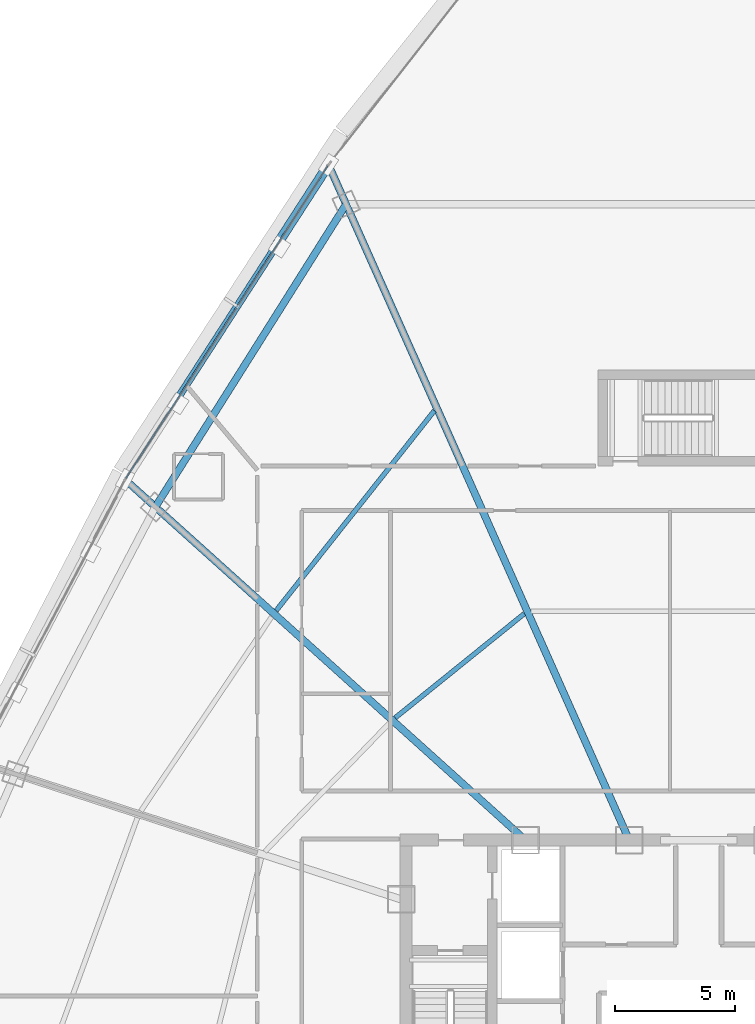
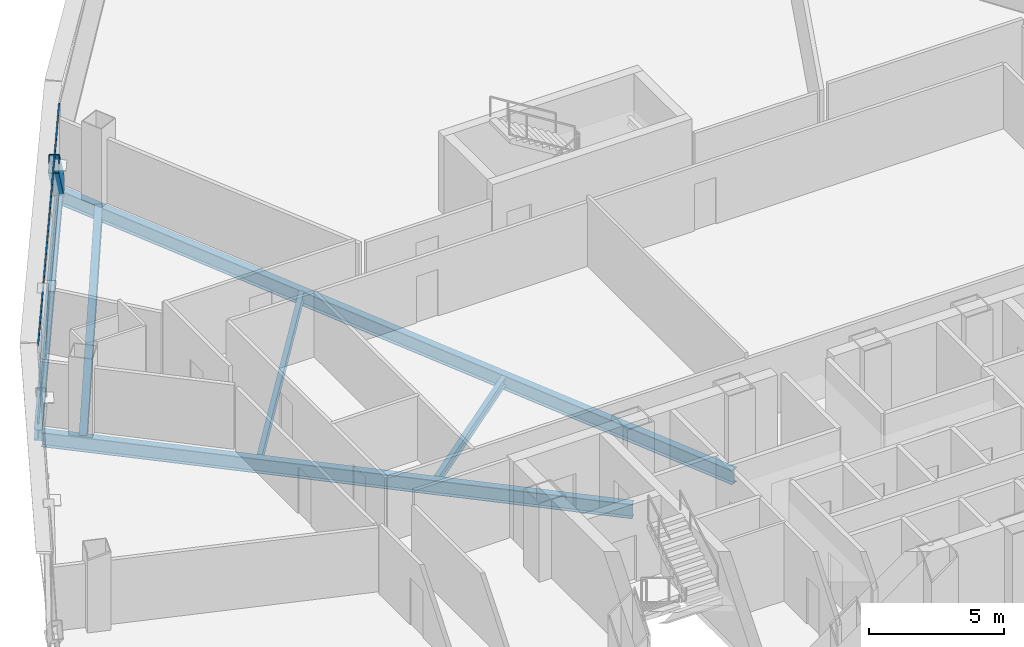
# One storey, part 17 of 37: 6 beams, 3 members, 1 element without a shape of its own.
"""IFC4 building model written with IfcOpenShell, lengths in metres."""

from ifc_helpers import new_model, si_unit, direction, frame, origin, origin_2d, place, context, subcontext, project, spatial, hollow_rectangle, i_section, extrude, source, transform, mapped, material, layer, layer_set, material_profile, profile_set, type_object, element, aggregate, save


model = new_model("IFC4")

# Units and contexts
model_context = context("Model", 3, precision=1e-05, world=origin(), true_north=direction((0.0, 1.0)))
body_context = subcontext(model_context, "Body", "Model", "MODEL_VIEW")
ifc_project = project(units=[si_unit("LENGTHUNIT", "METRE"), si_unit("AREAUNIT", "SQUARE_METRE"), si_unit("VOLUMEUNIT", "CUBIC_METRE"), si_unit("PLANEANGLEUNIT", "RADIAN"), si_unit("MASSUNIT", "GRAM", prefix="KILO"), si_unit("THERMODYNAMICTEMPERATUREUNIT", "KELVIN"), si_unit("POWERUNIT", "WATT")], contexts=[model_context])

# Site, building, storey
site_placement = place(None, origin())
site = spatial("IfcSite", under=ifc_project, at=site_placement, CompositionType="ELEMENT")
building_placement = place(site_placement, origin())
building = spatial("IfcBuilding", under=site, at=building_placement, Name="Yunzhuo Pagoda Commons", CompositionType="ELEMENT")
storey_placement = place(building_placement, frame((0.0, 0.0, 207.56005859375)))
storey = spatial("IfcBuildingStorey", under=building, at=storey_placement, Name="L52", CompositionType="ELEMENT", Elevation=207.56005859375)

# Beams
ifc_material_1 = material(Name="Structural steel Q355B", Category="steel")
ifc_material_profile_1 = material_profile(ifc_material_1, i_section(OverallWidth=0.300048828125, OverallDepth=0.64990234375, WebThickness=0.012939453125, FlangeThickness=0.02197265625, at=origin_2d()), Name="Structural steel Q355B")
ifc_profile_set_1 = profile_set([ifc_material_profile_1], Name="Structural steel Q355B")
beam_type_1 = type_object("IfcBeamType", Name="B-RG2 Beam HN 650x300x13x22", PredefinedType="BEAM", material=ifc_profile_set_1)
shared_shape_1 = source(origin(), body_context, "Body", "SweptSolid", [
    extrude(i_section(OverallWidth=0.300048828125, OverallDepth=0.64990234375, WebThickness=0.012939453125, FlangeThickness=0.02197265625, at=origin_2d()), origin(), (0.0, 0.0, 1.0), 14.916015625),
])
beam_1_placement = place(storey_placement, frame((33.301025390625, 66.714599609375, -0.5849609375), z_axis=(-0.533092374013, -0.846057043449, 0.0), x_axis=(0.846057043449, -0.533092374013, 0.0)))
element("IfcBeam", 1, at=beam_1_placement, inside=storey, type_object=beam_type_1, Name="L52 column-ring beam 9", PredefinedType="BEAM", context=body_context, shape_type="MappedRepresentation", body=[
    mapped(shared_shape_1, transform((0.0, 0.0, 0.0), scale=1.0)),
])
ifc_material_profile_2 = material_profile(ifc_material_1, i_section(OverallWidth=0.199951171875, OverallDepth=0.39990234375, WebThickness=0.008056640625, FlangeThickness=0.012939453125, at=origin_2d()), Name="Structural steel Q355B")
ifc_profile_set_2 = profile_set([ifc_material_profile_2], Name="Structural steel Q355B")
beam_type_2 = type_object("IfcBeamType", Name="B-JS1 Joist HN 400x200x8x13", PredefinedType="JOIST", material=ifc_profile_set_2)
shared_shape_2 = source(origin(), body_context, "Body", "SweptSolid", [
    extrude(i_section(OverallWidth=0.199951171875, OverallDepth=0.39990234375, WebThickness=0.008056640625, FlangeThickness=0.012939453125, at=origin_2d()), origin(), (0.0, 0.0, 1.0), 6.916748046875),
])
beam_2_placement = place(storey_placement, frame((40.732421875, 49.645263671875, -0.4599609375), z_axis=(-0.778265575865, -0.627935262127, 0.0), x_axis=(0.627935262127, -0.778265575865, 0.0)))
element("IfcBeam", 2, at=beam_2_placement, inside=storey, type_object=beam_type_2, Name="L52 composite ring joist 1.9", PredefinedType="JOIST", context=body_context, shape_type="MappedRepresentation", body=[
    mapped(shared_shape_2, transform((0.0, 0.0, 0.0), scale=1.0)),
])
shared_shape_3 = source(origin(), body_context, "Body", "SweptSolid", [
    extrude(i_section(OverallWidth=0.199951171875, OverallDepth=0.39990234375, WebThickness=0.008056640625, FlangeThickness=0.012939453125, at=origin_2d()), origin(), (0.0, 0.0, 1.0), 10.625732421875),
])
beam_3_placement = place(storey_placement, frame((36.980224609375, 58.105224609375, -0.4599609375), z_axis=(-0.620589944532, -0.784135269418, 0.0), x_axis=(0.784135269418, -0.620589944532, 0.0)))
element("IfcBeam", 3, at=beam_3_placement, inside=storey, type_object=beam_type_2, Name="L52 composite ring joist 2.9", PredefinedType="JOIST", context=body_context, shape_type="MappedRepresentation", body=[
    mapped(shared_shape_3, transform((0.0, 0.0, 0.0), scale=1.0)),
])
shared_shape_4 = source(origin(), body_context, "Body", "SweptSolid", [
    extrude(i_section(OverallWidth=0.300048828125, OverallDepth=0.64990234375, WebThickness=0.012939453125, FlangeThickness=0.02197265625, at=origin_2d()), origin(), (0.0, 0.0, 1.0), 22.309326171875),
])
beam_4_placement = place(storey_placement, frame((24.201904296875, 55.1279296875, -0.5849609375), z_axis=(0.743142854704, -0.669132795118, 0.0), x_axis=(0.669132795118, 0.743142854704, 0.0)))
element("IfcBeam", 4, at=beam_4_placement, inside=storey, type_object=beam_type_1, Name="L52 radial floor girder F3C2", PredefinedType="BEAM", context=body_context, shape_type="MappedRepresentation", body=[
    mapped(shared_shape_4, transform((0.0, 0.0, 0.0), scale=1.0)),
])
shared_shape_5 = source(origin(), body_context, "Body", "SweptSolid", [
    extrude(i_section(OverallWidth=0.300048828125, OverallDepth=0.64990234375, WebThickness=0.012939453125, FlangeThickness=0.02197265625, at=origin_2d()), origin(), (0.0, 0.0, 1.0), 30.670166015625),
])
beam_5_placement = place(storey_placement, frame((32.63134765625, 68.218505859375, -0.5849609375), z_axis=(0.406735149386, -0.913546122675, 0.0), x_axis=(0.913546122675, 0.406735149386, 0.0)))
element("IfcBeam", 5, at=beam_5_placement, inside=storey, type_object=beam_type_1, Name="L52 radial floor girder F3C1", PredefinedType="BEAM", context=body_context, shape_type="MappedRepresentation", body=[
    mapped(shared_shape_5, transform((0.0, 0.0, 0.0), scale=1.0)),
])
ifc_material_profile_3 = material_profile(ifc_material_1, i_section(OverallWidth=0.300048828125, OverallDepth=0.488037109375, WebThickness=0.010986328125, FlangeThickness=0.01806640625, at=origin_2d()), Name="Structural steel Q355B")
ifc_profile_set_3 = profile_set([ifc_material_profile_3], Name="Structural steel Q355B")
beam_type_3 = type_object("IfcBeamType", Name="B-SP1 Beam HM 488x300x11x18", PredefinedType="BEAM", material=ifc_profile_set_3)
shared_shape_6 = source(origin(), body_context, "Body", "SweptSolid", [
    extrude(i_section(OverallWidth=0.300048828125, OverallDepth=0.488037109375, WebThickness=0.010986328125, FlangeThickness=0.01806640625, at=origin_2d()), origin(), (0.0, 0.0, 1.0), 15.6298828125),
])
beam_6_placement = place(storey_placement, frame((32.568359375, 68.360107421875, -0.504150390625), z_axis=(-0.542639096157, -0.83996595843, 0.0), x_axis=(0.83996595843, -0.542639096157, 0.0)))
element("IfcBeam", 6, at=beam_6_placement, inside=storey, type_object=beam_type_3, Name="L52 facade edge spandrel beam F3.1", PredefinedType="BEAM", context=body_context, shape_type="MappedRepresentation", body=[
    mapped(shared_shape_6, transform((0.0, 0.0, 0.0), scale=1.0)),
])

# Member
ifc_material_profile_4 = material_profile(ifc_material_1, hollow_rectangle(XDim=0.39990234375, YDim=0.719970703125, WallThickness=0.02392578125, at=origin_2d()), Name="Structural steel Q355B")
ifc_profile_set_4 = profile_set([ifc_material_profile_4], Name="Structural steel Q355B")
member_type_1 = type_object("IfcMemberType", Name="M-DL2 Brace BOX 720x400x24", PredefinedType="BRACE", material=ifc_profile_set_4)
shared_shape_7 = source(origin(), body_context, "Body", "SweptSolid", [
    extrude(hollow_rectangle(XDim=0.39990234375, YDim=0.719970703125, WallThickness=0.02392578125, at=origin_2d()), origin(), (0.0, 0.0, 1.0), 5.45068359375),
])
member_1_placement = place(storey_placement, frame((32.568359375, 68.360107421875, -0.260009765625), z_axis=(-0.389012502589, -0.602174333311, 0.697176695774), x_axis=(0.839970557763, -0.542631976657, 0.0)))
element("IfcMember", 7, at=member_1_placement, inside=storey, type_object=member_type_1, Name="L52 facade diamond brace F3.1L", PredefinedType="BRACE", context=body_context, shape_type="MappedRepresentation", body=[
    mapped(shared_shape_7, transform((0.0, 0.0, 0.0), scale=1.0)),
])

# Curtain wall, members
ifc_material_2 = material(Name="Anodized aluminium 6063-T6", Category="aluminium")
ifc_layer = layer(ifc_material_2, 0.14990234375)
ifc_layer_set = layer_set([ifc_layer], Name="Anodized aluminium 6063-T6")
curtain_wall_type = type_object("IfcCurtainWallType", Name="CW-MID Mid-Zone Ribbon Curtain Wall", PredefinedType="NOTDEFINED", material=ifc_layer_set)
curtain_wall_placement = place(storey_placement, origin())
curtain_wall = element("IfcCurtainWall", 8, at=curtain_wall_placement, inside=storey, type_object=curtain_wall_type, Name="L52 curtain wall CW-L52-F3B2", PredefinedType="NOTDEFINED")
ifc_material_profile_5 = material_profile(ifc_material_2, hollow_rectangle(XDim=0.054931640625, YDim=0.1298828125, WallThickness=0.00341796875, at=origin_2d()), Name="Anodized aluminium 6063-T6")
ifc_profile_set_5 = profile_set([ifc_material_profile_5], Name="Anodized aluminium 6063-T6")
member_type_2 = type_object("IfcMemberType", Name="CW-MID-T Transom RHS 130x55x3.5", PredefinedType="USERDEFINED", material=ifc_profile_set_5)
shared_shape_8 = source(origin(), body_context, "Body", "SweptSolid", [
    extrude(hollow_rectangle(XDim=0.054931640625, YDim=0.1298828125, WallThickness=0.00341796875, at=origin_2d()), origin(), (0.0, 0.0, 1.0), 15.51025390625),
])
member_2_placement = place(storey_placement, frame((32.535888671875, 68.31005859375, 0.02734375), z_axis=(-0.542640899083, -0.839964793692, 0.0), x_axis=(0.839964793692, -0.542640899083, 0.0)))
member_2 = element("IfcMember", 9, at=member_2_placement, type_object=member_type_2, Name="CW transom 1.1", ObjectType="TRANSOM", PredefinedType="USERDEFINED", context=body_context, shape_type="MappedRepresentation", body=[
    mapped(shared_shape_8, transform((0.0, 0.0, 0.0), scale=1.0)),
])
member_3_placement = place(storey_placement, frame((32.535888671875, 68.31005859375, 3.512451171875), z_axis=(-0.542640899083, -0.839964793692, 0.0), x_axis=(0.839964793692, -0.542640899083, 0.0)))
member_3 = element("IfcMember", 10, at=member_3_placement, type_object=member_type_2, Name="CW transom 1.2", ObjectType="TRANSOM", PredefinedType="USERDEFINED", context=body_context, shape_type="MappedRepresentation", body=[
    mapped(shared_shape_8, transform((0.0, 0.0, 0.0), scale=1.0)),
])
aggregate(curtain_wall, [member_2, member_3])

save(model, "model.ifc")
